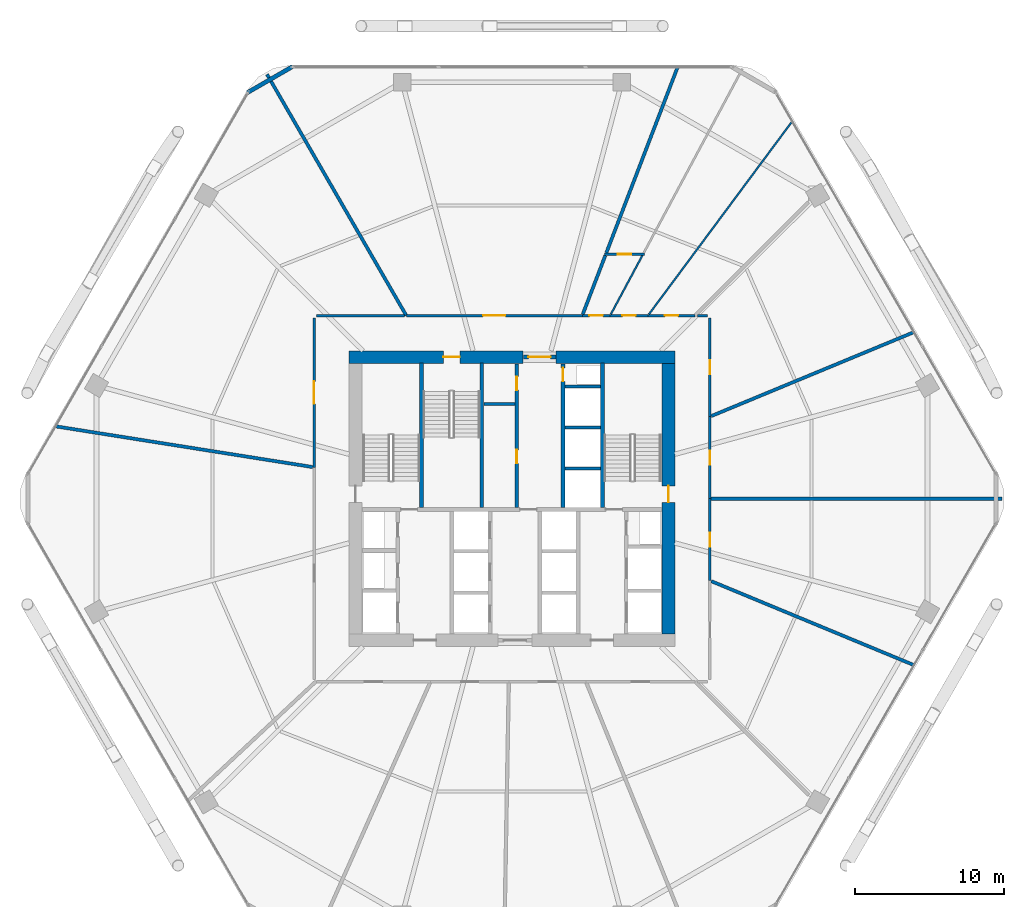
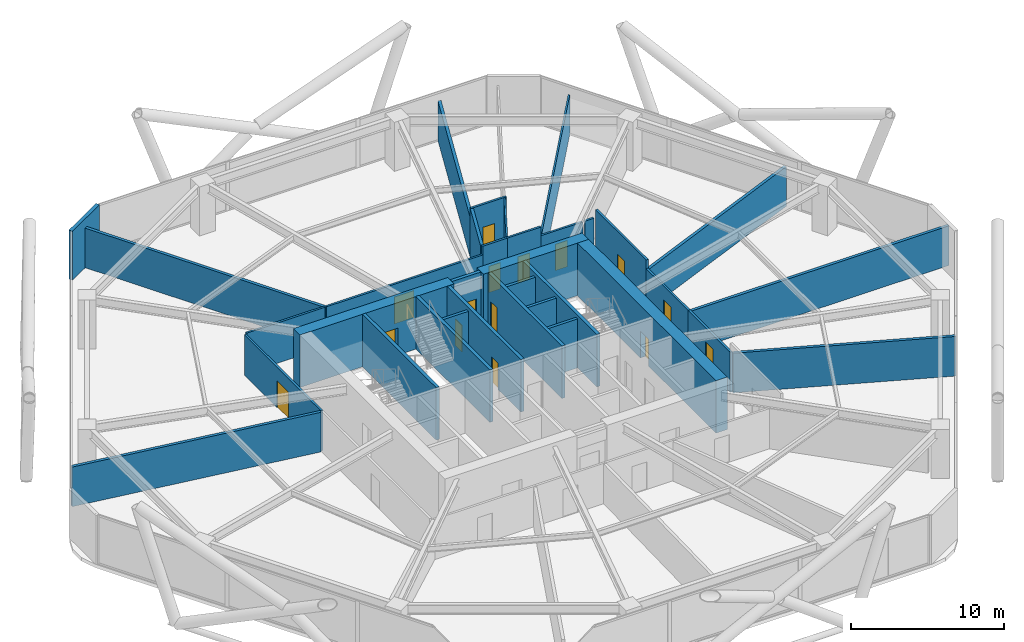
# One storey, part 26 of 28: 34 walls, 15 doors, 15 openings.
"""IFC4 building model written with IfcOpenShell, lengths in metres."""

from ifc_helpers import new_model, si_unit, direction, frame, frame_2d, origin, place, context, subcontext, project, spatial, rectangle, extrude, material, layer, layer_set, type_object, element, fill, save


model = new_model("IFC4")

# Units and contexts
model_context = context("Model", 3, precision=1e-05, world=origin(), true_north=direction((0.0, 1.0)))
body_context = subcontext(model_context, "Body", "Model", "MODEL_VIEW")
ifc_project = project(units=[si_unit("LENGTHUNIT", "METRE"), si_unit("AREAUNIT", "SQUARE_METRE"), si_unit("VOLUMEUNIT", "CUBIC_METRE"), si_unit("PLANEANGLEUNIT", "RADIAN"), si_unit("MASSUNIT", "GRAM", prefix="KILO")], contexts=[model_context])

# Site, building, storey
site_placement = place(None, origin())
site = spatial("IfcSite", under=ifc_project, at=site_placement, CompositionType="ELEMENT")
building_placement = place(site_placement, origin())
building = spatial("IfcBuilding", under=site, at=building_placement, Name="Zuhravey Tower", CompositionType="ELEMENT")
storey_placement = place(building_placement, frame((0.0, 0.0, 66.60009765625)))
storey = spatial("IfcBuildingStorey", under=building, at=storey_placement, Name="L16", CompositionType="ELEMENT", Elevation=66.60009765625)

# Wall
ifc_material_1 = material(Name="Concrete C60/75", Category="concrete")
ifc_layer_1 = layer(ifc_material_1, 0.85009765625)
ifc_layer_set_1 = layer_set([ifc_layer_1], Name="Concrete C60/75")
wall_type_1 = type_object("IfcWallType", Name="Core Shear Wall 850", PredefinedType="SHEAR", material=ifc_layer_set_1)
wall_1_placement = place(storey_placement, frame((46.925048828125, 41.5, 0.0), z_axis=(0.0, 0.0, 1.0), x_axis=(-1.0, 0.0, 0.0)))
element("IfcWall", 1, at=wall_1_placement, inside=storey, type_object=wall_type_1, Name="L16 North-East Core Shear Wall CW85", PredefinedType="SHEAR", context=body_context, shape_type="SweptSolid", body=[
    extrude(rectangle(XDim=7.97509765625, YDim=0.85009765625, at=frame_2d((3.987548828125, 0.0))), origin(), (0.0, 0.0, 1.0), 4.199951171875),
])

# Wall, opening, door
wall_2_placement = place(storey_placement, frame((36.75, 41.5, 0.0), z_axis=(0.0, 0.0, 1.0), x_axis=(-1.0, 0.0, 0.0)))
wall_2 = element("IfcWall", 2, at=wall_2_placement, inside=storey, type_object=wall_type_1, Name="L16 North-West Core Shear Wall CW85", PredefinedType="SHEAR", context=body_context, shape_type="SweptSolid", body=[
    extrude(rectangle(XDim=11.675048828125, YDim=0.85009765625, at=frame_2d((5.83740234375, 0.0))), origin(), (0.0, 0.0, 1.0), 4.199951171875),
])
opening_1_placement = place(wall_2_placement, frame((4.25, 0.0, 0.0)))
opening_1 = element("IfcOpeningElement", 3, at=opening_1_placement, cuts=wall_2, Name="Opening STD1", PredefinedType="OPENING", context=body_context, shape_type="SweptSolid", body=[
    extrude(rectangle(XDim=1.10009765625, YDim=2.14990234375, at=frame_2d((0.550048828125, 1.074951171875))), frame((0.0, 0.43701171875, 0.0), z_axis=(0.0, -1.0, 0.0), x_axis=(1.0, 0.0, 0.0)), (0.0, 0.0, 1.0), 0.8740234375),
])
ifc_material_2 = material(Name="Galvanised fire-rated steel leaf", Category="steel")
door_type_1 = type_object("IfcDoorType", Name="Protected Stair Fire Door 1100x2150", OperationType="NOTDEFINED", PredefinedType="USERDEFINED", material=ifc_material_2)
door_1_placement = place(opening_1_placement, origin())
door_1 = element("IfcDoor", 4, at=door_1_placement, inside=storey, type_object=door_type_1, Name="L16 Stair ST3 Door", ObjectType="EXITDOOR", OperationType="SINGLE_SWING_RIGHT", OverallHeight=2.14990234375, OverallWidth=1.10009765625, PredefinedType="USERDEFINED", context=body_context, shape_type="SweptSolid", body=[
    extrude(rectangle(XDim=1.10009765625, YDim=2.14990234375, at=frame_2d((0.550048828125, 1.074951171875))), frame((0.0, 0.02490234375, 0.0), z_axis=(0.0, -1.0, 0.0), x_axis=(1.0, 0.0, 0.0)), (0.0, 0.0, 1.0), 0.050048828125),
])
fill(opening_1, door_1)

wall_3_placement = place(storey_placement, frame((46.5, 22.925048828125, 0.0), z_axis=(0.0, 0.0, 1.0), x_axis=(0.0, 1.0, 0.0)))
wall_3 = element("IfcWall", 5, at=wall_3_placement, inside=storey, type_object=wall_type_1, Name="L16 East Core Shear Wall CW85", PredefinedType="SHEAR", context=body_context, shape_type="SweptSolid", body=[
    extrude(rectangle(XDim=18.14990234375, YDim=0.85009765625, at=frame_2d((9.074951171875, 0.0))), origin(), (0.0, 0.0, 1.0), 4.199951171875),
])
opening_2_placement = place(wall_3_placement, frame((8.824951171875, 0.0, 0.0)))
opening_2 = element("IfcOpeningElement", 6, at=opening_2_placement, cuts=wall_3, Name="Opening STD1", PredefinedType="OPENING", context=body_context, shape_type="SweptSolid", body=[
    extrude(rectangle(XDim=1.10009765625, YDim=2.14990234375, at=frame_2d((0.550048828125, 1.074951171875))), frame((0.0, 0.43701171875, 0.0), z_axis=(0.0, -1.0, 0.0), x_axis=(1.0, 0.0, 0.0)), (0.0, 0.0, 1.0), 0.8740234375),
])
door_2_placement = place(opening_2_placement, origin())
door_2 = element("IfcDoor", 7, at=door_2_placement, inside=storey, type_object=door_type_1, Name="L16 Stair ST2 Door", ObjectType="EXITDOOR", OperationType="SINGLE_SWING_LEFT", OverallHeight=2.14990234375, OverallWidth=1.10009765625, PredefinedType="USERDEFINED", context=body_context, shape_type="SweptSolid", body=[
    extrude(rectangle(XDim=1.10009765625, YDim=2.14990234375, at=frame_2d((0.550048828125, 1.074951171875))), frame((0.0, 0.02490234375, 0.0), z_axis=(0.0, -1.0, 0.0), x_axis=(1.0, 0.0, 0.0)), (0.0, 0.0, 1.0), 0.050048828125),
])
fill(opening_2, door_2)

ifc_material_3 = material(Name="Gypsum fire-rated stud partition")
ifc_layer_2 = layer(ifc_material_3, 0.159912109375)
ifc_layer_set_2 = layer_set([ifc_layer_2], Name="Gypsum fire-rated stud partition")
wall_type_2 = type_object("IfcWallType", Name="Corridor Fire Partition 160", PredefinedType="PARTITIONING", material=ifc_layer_set_2)
wall_4_placement = place(storey_placement, frame((48.284912109375, 44.284912109375, 0.0), z_axis=(0.0, 0.0, 1.0), x_axis=(-1.0, 0.0, 0.0)))
wall_4 = element("IfcWall", 8, at=wall_4_placement, inside=storey, type_object=wall_type_2, Name="L16 IW16 Partition 019", PredefinedType="PARTITIONING", context=body_context, shape_type="SweptSolid", body=[
    extrude(rectangle(XDim=3.161376953125, YDim=0.159912109375, at=frame_2d((1.58056640625, 0.0))), origin(), (0.0, 0.0, 1.0), 3.219970703125),
])
opening_3_placement = place(wall_4_placement, frame((1.130615234375, 0.0, 0.0)))
opening_3 = element("IfcOpeningElement", 9, at=opening_3_placement, cuts=wall_4, Name="Opening RSD1", PredefinedType="OPENING", context=body_context, shape_type="SweptSolid", body=[
    extrude(rectangle(XDim=0.89990234375, YDim=2.10009765625, at=frame_2d((0.449951171875, 1.050048828125))), frame((0.0, 0.092041015625, 0.0), z_axis=(0.0, -1.0, 0.0), x_axis=(1.0, 0.0, 0.0)), (0.0, 0.0, 1.0), 0.183837890625),
])
ifc_material_4 = material(Name="Galvanised fire-rated steel access leaf", Category="steel")
door_type_2 = type_object("IfcDoorType", Name="Riser & Shaft Access Fire Door 900x2100", OperationType="NOTDEFINED", PredefinedType="DOOR", material=ifc_material_4)
door_3_placement = place(opening_3_placement, frame((0.89990234375, 0.0, 0.0), z_axis=(0.0, 0.0, 1.0), x_axis=(-1.0, 0.0, 0.0)))
door_3 = element("IfcDoor", 10, at=door_3_placement, inside=storey, type_object=door_type_2, Name="L16 Door 019.1", OperationType="SINGLE_SWING_RIGHT", OverallHeight=2.10009765625, OverallWidth=0.89990234375, PredefinedType="DOOR", context=body_context, shape_type="SweptSolid", body=[
    extrude(rectangle(XDim=0.89990234375, YDim=2.10009765625, at=frame_2d((0.449951171875, 1.050048828125))), frame((0.0, 0.02490234375, 0.0), z_axis=(0.0, -1.0, 0.0), x_axis=(1.0, 0.0, 0.0)), (0.0, 0.0, 1.0), 0.050048828125),
])
fill(opening_3, door_3)

wall_5_placement = place(storey_placement, frame((45.12353515625, 44.284912109375, 0.0), z_axis=(0.0, 0.0, 1.0), x_axis=(-1.0, 0.0, 0.0)))
wall_5 = element("IfcWall", 11, at=wall_5_placement, inside=storey, type_object=wall_type_2, Name="L16 IW16 Partition 020", PredefinedType="PARTITIONING", context=body_context, shape_type="SweptSolid", body=[
    extrude(rectangle(XDim=2.536376953125, YDim=0.159912109375, at=frame_2d((1.26806640625, 0.0))), origin(), (0.0, 0.0, 1.0), 3.919921875),
])
opening_4_placement = place(wall_5_placement, frame((0.818115234375, 0.0, 0.0)))
opening_4 = element("IfcOpeningElement", 12, at=opening_4_placement, cuts=wall_5, Name="Opening RSD1", PredefinedType="OPENING", context=body_context, shape_type="SweptSolid", body=[
    extrude(rectangle(XDim=0.89990234375, YDim=2.10009765625, at=frame_2d((0.449951171875, 1.050048828125))), frame((0.0, 0.092041015625, 0.0), z_axis=(0.0, -1.0, 0.0), x_axis=(1.0, 0.0, 0.0)), (0.0, 0.0, 1.0), 0.183837890625),
])
door_4_placement = place(opening_4_placement, frame((0.89990234375, 0.0, 0.0), z_axis=(0.0, 0.0, 1.0), x_axis=(-1.0, 0.0, 0.0)))
door_4 = element("IfcDoor", 13, at=door_4_placement, inside=storey, type_object=door_type_2, Name="L16 Door 020.1", OperationType="SINGLE_SWING_LEFT", OverallHeight=2.10009765625, OverallWidth=0.89990234375, PredefinedType="DOOR", context=body_context, shape_type="SweptSolid", body=[
    extrude(rectangle(XDim=0.89990234375, YDim=2.10009765625, at=frame_2d((0.449951171875, 1.050048828125))), frame((0.0, 0.02490234375, 0.0), z_axis=(0.0, -1.0, 0.0), x_axis=(1.0, 0.0, 0.0)), (0.0, 0.0, 1.0), 0.050048828125),
])
fill(opening_4, door_4)

wall_6_placement = place(storey_placement, frame((42.211669921875, 48.405029296875, 0.0), z_axis=(0.0, 0.0, 1.0), x_axis=(1.0, 0.0, 0.0)))
wall_6 = element("IfcWall", 14, at=wall_6_placement, inside=storey, type_object=wall_type_2, Name="L16 IW16 Partition 021", PredefinedType="PARTITIONING", context=body_context, shape_type="SweptSolid", body=[
    extrude(rectangle(XDim=2.675537109375, YDim=0.159912109375, at=frame_2d((1.337890625, 0.0))), origin(), (0.0, 0.0, 1.0), 3.919921875),
])
opening_5_placement = place(wall_6_placement, frame((0.8876953125, 0.0, 0.0)))
opening_5 = element("IfcOpeningElement", 15, at=opening_5_placement, cuts=wall_6, Name="Opening RSD1", PredefinedType="OPENING", context=body_context, shape_type="SweptSolid", body=[
    extrude(rectangle(XDim=0.89990234375, YDim=2.10009765625, at=frame_2d((0.449951171875, 1.050048828125))), frame((0.0, 0.092041015625, 0.0), z_axis=(0.0, -1.0, 0.0), x_axis=(1.0, 0.0, 0.0)), (0.0, 0.0, 1.0), 0.183837890625),
])
door_5_placement = place(opening_5_placement, origin())
door_5 = element("IfcDoor", 16, at=door_5_placement, inside=storey, type_object=door_type_2, Name="L16 Door 021.1", OperationType="SINGLE_SWING_RIGHT", OverallHeight=2.10009765625, OverallWidth=0.89990234375, PredefinedType="DOOR", context=body_context, shape_type="SweptSolid", body=[
    extrude(rectangle(XDim=0.89990234375, YDim=2.10009765625, at=frame_2d((0.449951171875, 1.050048828125))), frame((0.0, 0.02490234375, 0.0), z_axis=(0.0, -1.0, 0.0), x_axis=(1.0, 0.0, 0.0)), (0.0, 0.0, 1.0), 0.050048828125),
])
fill(opening_5, door_5)

wall_7_placement = place(storey_placement, frame((42.587158203125, 44.284912109375, 0.0), z_axis=(0.0, 0.0, 1.0), x_axis=(-1.0, 0.0, 0.0)))
wall_7 = element("IfcWall", 17, at=wall_7_placement, inside=storey, type_object=wall_type_2, Name="L16 IW16 Partition 022", PredefinedType="PARTITIONING", context=body_context, shape_type="SweptSolid", body=[
    extrude(rectangle(XDim=1.871337890625, YDim=0.159912109375, at=frame_2d((0.935546875, 0.0))), origin(), (0.0, 0.0, 1.0), 3.919921875),
])
opening_6_placement = place(wall_7_placement, frame((0.485595703125, 0.0, 0.0)))
opening_6 = element("IfcOpeningElement", 18, at=opening_6_placement, cuts=wall_7, Name="Opening RSD1", PredefinedType="OPENING", context=body_context, shape_type="SweptSolid", body=[
    extrude(rectangle(XDim=0.89990234375, YDim=2.10009765625, at=frame_2d((0.449951171875, 1.050048828125))), frame((0.0, 0.092041015625, 0.0), z_axis=(0.0, -1.0, 0.0), x_axis=(1.0, 0.0, 0.0)), (0.0, 0.0, 1.0), 0.183837890625),
])
door_6_placement = place(opening_6_placement, frame((0.89990234375, 0.0, 0.0), z_axis=(0.0, 0.0, 1.0), x_axis=(-1.0, 0.0, 0.0)))
door_6 = element("IfcDoor", 19, at=door_6_placement, inside=storey, type_object=door_type_2, Name="L16 Door 022.1", OperationType="SINGLE_SWING_LEFT", OverallHeight=2.10009765625, OverallWidth=0.89990234375, PredefinedType="DOOR", context=body_context, shape_type="SweptSolid", body=[
    extrude(rectangle(XDim=0.89990234375, YDim=2.10009765625, at=frame_2d((0.449951171875, 1.050048828125))), frame((0.0, 0.02490234375, 0.0), z_axis=(0.0, -1.0, 0.0), x_axis=(1.0, 0.0, 0.0)), (0.0, 0.0, 1.0), 0.050048828125),
])
fill(opening_6, door_6)

wall_8_placement = place(storey_placement, frame((40.7158203125, 44.284912109375, 0.0), z_axis=(0.0, 0.0, 1.0), x_axis=(-1.0, 0.0, 0.0)))
wall_8 = element("IfcWall", 20, at=wall_8_placement, inside=storey, type_object=wall_type_2, Name="L16 IW16 Partition 023", PredefinedType="PARTITIONING", context=body_context, shape_type="SweptSolid", body=[
    extrude(rectangle(XDim=11.80859375, YDim=0.159912109375, at=frame_2d((5.904296875, 0.0))), origin(), (0.0, 0.0, 1.0), 3.219970703125),
])
opening_7_placement = place(wall_8_placement, frame((5.154296875, 0.0, 0.0)))
opening_7 = element("IfcOpeningElement", 21, at=opening_7_placement, cuts=wall_8, Name="Opening FFD1", PredefinedType="OPENING", context=body_context, shape_type="SweptSolid", body=[
    extrude(rectangle(XDim=1.5, YDim=2.14990234375, at=frame_2d((0.75, 1.074951171875))), frame((0.0, 0.092041015625, 0.0), z_axis=(0.0, -1.0, 0.0), x_axis=(1.0, 0.0, 0.0)), (0.0, 0.0, 1.0), 0.183837890625),
])
door_type_3 = type_object("IfcDoorType", Name="Firefighting Lobby Double Door 1500x2150", OperationType="DOUBLE_DOOR_SINGLE_SWING", PredefinedType="DOOR", material=ifc_material_2)
door_7_placement = place(opening_7_placement, frame((1.5, 0.0, 0.0), z_axis=(0.0, 0.0, 1.0), x_axis=(-1.0, 0.0, 0.0)))
door_7 = element("IfcDoor", 22, at=door_7_placement, inside=storey, type_object=door_type_3, Name="L16 Door 023.1", OperationType="DOUBLE_DOOR_SINGLE_SWING", OverallHeight=2.14990234375, OverallWidth=1.5, PredefinedType="DOOR", context=body_context, shape_type="SweptSolid", body=[
    extrude(rectangle(XDim=1.5, YDim=2.14990234375, at=frame_2d((0.75, 1.074951171875))), frame((0.0, 0.02490234375, 0.0), z_axis=(0.0, -1.0, 0.0), x_axis=(1.0, 0.0, 0.0)), (0.0, 0.0, 1.0), 0.050048828125),
])
fill(opening_7, door_7)

wall_9_placement = place(storey_placement, frame((22.715087890625, 44.125, 0.0), z_axis=(0.0, 0.0, 1.0), x_axis=(0.0, -1.0, 0.0)))
wall_9 = element("IfcWall", 23, at=wall_9_placement, inside=storey, type_object=wall_type_2, Name="L16 IW16 Partition 024", PredefinedType="PARTITIONING", context=body_context, shape_type="SweptSolid", body=[
    extrude(rectangle(XDim=10.02099609375, YDim=0.159912109375, at=frame_2d((5.010498046875, 0.0))), origin(), (0.0, 0.0, 1.0), 3.219970703125),
])
opening_8_placement = place(wall_9_placement, frame((4.260498046875, 0.0, 0.0)))
opening_8 = element("IfcOpeningElement", 24, at=opening_8_placement, cuts=wall_9, Name="Opening FFD1", PredefinedType="OPENING", context=body_context, shape_type="SweptSolid", body=[
    extrude(rectangle(XDim=1.5, YDim=2.14990234375, at=frame_2d((0.75, 1.074951171875))), frame((0.0, 0.092041015625, 0.0), z_axis=(0.0, -1.0, 0.0), x_axis=(1.0, 0.0, 0.0)), (0.0, 0.0, 1.0), 0.183837890625),
])
door_8_placement = place(opening_8_placement, frame((1.5, 0.0, 0.0), z_axis=(0.0, 0.0, 1.0), x_axis=(-1.0, 0.0, 0.0)))
door_8 = element("IfcDoor", 25, at=door_8_placement, inside=storey, type_object=door_type_3, Name="L16 Door 024.1", OperationType="DOUBLE_DOOR_SINGLE_SWING", OverallHeight=2.14990234375, OverallWidth=1.5, PredefinedType="DOOR", context=body_context, shape_type="SweptSolid", body=[
    extrude(rectangle(XDim=1.5, YDim=2.14990234375, at=frame_2d((0.75, 1.074951171875))), frame((0.0, 0.02490234375, 0.0), z_axis=(0.0, -1.0, 0.0), x_axis=(1.0, 0.0, 0.0)), (0.0, 0.0, 1.0), 0.050048828125),
])
fill(opening_8, door_8)

wall_10_placement = place(storey_placement, frame((49.284912109375, 26.497314453125, 0.0), z_axis=(0.0, 0.0, 1.0), x_axis=(0.0, 1.0, 0.0)))
wall_10 = element("IfcWall", 26, at=wall_10_placement, inside=storey, type_object=wall_type_2, Name="L16 IW16 Partition 031", PredefinedType="PARTITIONING", context=body_context, shape_type="SweptSolid", body=[
    extrude(rectangle(XDim=5.502685546875, YDim=0.159912109375, at=frame_2d((2.75146484375, 0.0))), origin(), (0.0, 0.0, 1.0), 3.219970703125),
])
opening_9_placement = place(wall_10_placement, frame((2.2763671875, 0.0, 0.0)))
opening_9 = element("IfcOpeningElement", 27, at=opening_9_placement, cuts=wall_10, Name="Opening IND1", PredefinedType="OPENING", context=body_context, shape_type="SweptSolid", body=[
    extrude(rectangle(XDim=0.949951171875, YDim=2.10009765625, at=frame_2d((0.47509765625, 1.050048828125))), frame((0.0, 0.092041015625, 0.0), z_axis=(0.0, -1.0, 0.0), x_axis=(1.0, 0.0, 0.0)), (0.0, 0.0, 1.0), 0.183837890625),
])
ifc_material_5 = material(Name="Painted engineered timber leaf", Category="wood")
door_type_4 = type_object("IfcDoorType", Name="Internal Room & Bedroom Door 950x2100", OperationType="NOTDEFINED", PredefinedType="DOOR", material=ifc_material_5)
door_9_placement = place(opening_9_placement, frame((0.949951171875, 0.0, 0.0), z_axis=(0.0, 0.0, 1.0), x_axis=(-1.0, 0.0, 0.0)))
door_9 = element("IfcDoor", 28, at=door_9_placement, inside=storey, type_object=door_type_4, Name="L16 Door 031.1", OperationType="SINGLE_SWING_RIGHT", OverallHeight=2.10009765625, OverallWidth=0.949951171875, PredefinedType="DOOR", context=body_context, shape_type="SweptSolid", body=[
    extrude(rectangle(XDim=0.949951171875, YDim=2.10009765625, at=frame_2d((0.47509765625, 1.050048828125))), frame((0.0, 0.02490234375, 0.0), z_axis=(0.0, -1.0, 0.0), x_axis=(1.0, 0.0, 0.0)), (0.0, 0.0, 1.0), 0.050048828125),
])
fill(opening_9, door_9)

wall_11_placement = place(storey_placement, frame((49.284912109375, 32.0, 0.0), z_axis=(0.0, 0.0, 1.0), x_axis=(0.0, 1.0, 0.0)))
wall_11 = element("IfcWall", 29, at=wall_11_placement, inside=storey, type_object=wall_type_2, Name="L16 IW16 Partition 032", PredefinedType="PARTITIONING", context=body_context, shape_type="SweptSolid", body=[
    extrude(rectangle(XDim=5.502685546875, YDim=0.159912109375, at=frame_2d((2.75146484375, 0.0))), origin(), (0.0, 0.0, 1.0), 3.219970703125),
])
opening_10_placement = place(wall_11_placement, frame((2.2763671875, 0.0, 0.0)))
opening_10 = element("IfcOpeningElement", 30, at=opening_10_placement, cuts=wall_11, Name="Opening IND1", PredefinedType="OPENING", context=body_context, shape_type="SweptSolid", body=[
    extrude(rectangle(XDim=0.949951171875, YDim=2.10009765625, at=frame_2d((0.47509765625, 1.050048828125))), frame((0.0, 0.092041015625, 0.0), z_axis=(0.0, -1.0, 0.0), x_axis=(1.0, 0.0, 0.0)), (0.0, 0.0, 1.0), 0.183837890625),
])
door_10_placement = place(opening_10_placement, frame((0.949951171875, 0.0, 0.0), z_axis=(0.0, 0.0, 1.0), x_axis=(-1.0, 0.0, 0.0)))
door_10 = element("IfcDoor", 31, at=door_10_placement, inside=storey, type_object=door_type_4, Name="L16 Door 032.1", OperationType="SINGLE_SWING_LEFT", OverallHeight=2.10009765625, OverallWidth=0.949951171875, PredefinedType="DOOR", context=body_context, shape_type="SweptSolid", body=[
    extrude(rectangle(XDim=0.949951171875, YDim=2.10009765625, at=frame_2d((0.47509765625, 1.050048828125))), frame((0.0, 0.02490234375, 0.0), z_axis=(0.0, -1.0, 0.0), x_axis=(1.0, 0.0, 0.0)), (0.0, 0.0, 1.0), 0.050048828125),
])
fill(opening_10, door_10)

wall_12_placement = place(storey_placement, frame((49.284912109375, 37.502685546875, 0.0), z_axis=(0.0, 0.0, 1.0), x_axis=(0.0, 1.0, 0.0)))
wall_12 = element("IfcWall", 32, at=wall_12_placement, inside=storey, type_object=wall_type_2, Name="L16 IW16 Partition 033", PredefinedType="PARTITIONING", context=body_context, shape_type="SweptSolid", body=[
    extrude(rectangle(XDim=6.622314453125, YDim=0.159912109375, at=frame_2d((3.31103515625, 0.0))), origin(), (0.0, 0.0, 1.0), 3.919921875),
])
opening_11_placement = place(wall_12_placement, frame((2.836181640625, 0.0, 0.0)))
opening_11 = element("IfcOpeningElement", 33, at=opening_11_placement, cuts=wall_12, Name="Opening IND1", PredefinedType="OPENING", context=body_context, shape_type="SweptSolid", body=[
    extrude(rectangle(XDim=0.949951171875, YDim=2.10009765625, at=frame_2d((0.47509765625, 1.050048828125))), frame((0.0, 0.092041015625, 0.0), z_axis=(0.0, -1.0, 0.0), x_axis=(1.0, 0.0, 0.0)), (0.0, 0.0, 1.0), 0.183837890625),
])
door_11_placement = place(opening_11_placement, frame((0.949951171875, 0.0, 0.0), z_axis=(0.0, 0.0, 1.0), x_axis=(-1.0, 0.0, 0.0)))
door_11 = element("IfcDoor", 34, at=door_11_placement, inside=storey, type_object=door_type_4, Name="L16 Door 033.1", OperationType="SINGLE_SWING_RIGHT", OverallHeight=2.10009765625, OverallWidth=0.949951171875, PredefinedType="DOOR", context=body_context, shape_type="SweptSolid", body=[
    extrude(rectangle(XDim=0.949951171875, YDim=2.10009765625, at=frame_2d((0.47509765625, 1.050048828125))), frame((0.0, 0.02490234375, 0.0), z_axis=(0.0, -1.0, 0.0), x_axis=(1.0, 0.0, 0.0)), (0.0, 0.0, 1.0), 0.050048828125),
])
fill(opening_11, door_11)

# Walls
wall_13_placement = place(storey_placement, frame((28.77099609375, 44.284912109375, 0.0), z_axis=(0.0, 0.0, 1.0), x_axis=(-1.0, 0.0, 0.0)))
element("IfcWall", 35, at=wall_13_placement, inside=storey, type_object=wall_type_2, Name="L16 IW16 Partition 049", PredefinedType="PARTITIONING", context=body_context, shape_type="SweptSolid", body=[
    extrude(rectangle(XDim=5.89599609375, YDim=0.159912109375, at=frame_2d((2.947998046875, 0.0))), origin(), (0.0, 0.0, 1.0), 3.219970703125),
])
wall_14_placement = place(storey_placement, frame((49.125, 44.284912109375, 0.0), z_axis=(0.0, 0.0, 1.0), x_axis=(-1.0, 0.0, 0.0)))
element("IfcWall", 36, at=wall_14_placement, inside=storey, type_object=wall_type_2, Name="L16 IW16 Partition 060", PredefinedType="PARTITIONING", context=body_context, shape_type="SweptSolid", body=[
    extrude(rectangle(XDim=0.673095703125, YDim=0.159912109375, at=frame_2d((0.33642578125, 0.0))), origin(), (0.0, 0.0, 1.0), 3.219970703125),
])
ifc_material_6 = material(Name="Precast concrete C40/50", Category="concrete")
ifc_layer_3 = layer(ifc_material_6, 0.280029296875)
ifc_layer_set_3 = layer_set([ifc_layer_3], Name="Precast concrete C40/50")
wall_type_3 = type_object("IfcWallType", Name="Crown Architectural Wall 280", PredefinedType="SOLIDWALL", material=ifc_layer_set_3)
wall_15_placement = place(storey_placement, frame((18.23876953125, 59.24853515625, 0.0), z_axis=(0.0, 0.0, 1.0), x_axis=(0.866007452331, 0.500031091541, 0.0)))
element("IfcWall", 37, at=wall_15_placement, inside=storey, type_object=wall_type_3, Name="L16 Rounded Corner Closure Wall EW28-08", PredefinedType="SOLIDWALL", context=body_context, shape_type="SweptSolid", body=[
    extrude(rectangle(XDim=3.514892578125, YDim=0.280029296875, at=frame_2d((1.75732421875, 0.0))), origin(), (0.0, 0.0, 1.0), 3.919921875),
])

# Wall, opening, door
ifc_material_7 = material(Name="Concrete C50/60", Category="concrete")
ifc_layer_4 = layer(ifc_material_7, 0.25)
ifc_layer_set_4 = layer_set([ifc_layer_4], Name="Concrete C50/60")
wall_type_4 = type_object("IfcWallType", Name="Firefighting Shaft & Stair Wall 250", PredefinedType="SOLIDWALL", material=ifc_layer_set_4)
wall_16_placement = place(storey_placement, frame((36.760009765625, 41.5, 0.0), z_axis=(0.0, 0.0, 1.0), x_axis=(1.0, 0.0, 0.0)))
wall_16 = element("IfcWall", 38, at=wall_16_placement, inside=storey, type_object=wall_type_4, Name="L16 FW25 Shaft Wall 002", PredefinedType="SOLIDWALL", context=body_context, shape_type="SweptSolid", body=[
    extrude(rectangle(XDim=2.179931640625, YDim=0.25, at=frame_2d((1.08984375, 0.0))), origin(), (0.0, 0.0, 1.0), 4.199951171875),
])
opening_12_placement = place(wall_16_placement, frame((0.340087890625, 0.0, 0.0)))
opening_12 = element("IfcOpeningElement", 39, at=opening_12_placement, cuts=wall_16, Name="Opening FFD1", PredefinedType="OPENING", context=body_context, shape_type="SweptSolid", body=[
    extrude(rectangle(XDim=1.5, YDim=2.14990234375, at=frame_2d((0.75, 1.074951171875))), frame((0.0, 0.136962890625, 0.0), z_axis=(0.0, -1.0, 0.0), x_axis=(1.0, 0.0, 0.0)), (0.0, 0.0, 1.0), 0.27392578125),
])
door_12_placement = place(opening_12_placement, origin())
door_12 = element("IfcDoor", 40, at=door_12_placement, inside=storey, type_object=door_type_3, Name="L16 North Lift Lobby Exit Door", OperationType="DOUBLE_DOOR_SINGLE_SWING", OverallHeight=2.14990234375, OverallWidth=1.5, PredefinedType="DOOR", context=body_context, shape_type="SweptSolid", body=[
    extrude(rectangle(XDim=1.5, YDim=2.14990234375, at=frame_2d((0.75, 1.074951171875))), frame((0.0, 0.02490234375, 0.0), z_axis=(0.0, -1.0, 0.0), x_axis=(1.0, 0.0, 0.0)), (0.0, 0.0, 1.0), 0.050048828125),
])
fill(opening_12, door_12)

# Walls
for number, where, z_axis, x_axis, name in (
    (41, (29.925048828125, 31.39990234375, 0.0), (0.0, 0.0, 1.0), (0.0, 1.0, 0.0), "L16 FW25 Shaft Wall 004"),
    (42, (33.97509765625, 31.39990234375, 0.0), (0.0, 0.0, 1.0), (0.0, 1.0, 0.0), "L16 FW25 Shaft Wall 005"),
    (43, (42.074951171875, 31.39990234375, 0.0), (0.0, 0.0, 1.0), (0.0, 1.0, 0.0), "L16 FW25 Shaft Wall 006"),
):
    element("IfcWall", number, at=place(storey_placement, frame(where, z_axis=z_axis, x_axis=x_axis)), inside=storey, type_object=wall_type_4, Name=name, PredefinedType="SOLIDWALL", context=body_context, shape_type="SweptSolid", body=[
        extrude(rectangle(XDim=9.7001953125, YDim=0.25, at=frame_2d((4.85009765625, 0.0))), origin(), (0.0, 0.0, 1.0), 4.199951171875),
    ])

# Wall, openings, doors
wall_17_placement = place(storey_placement, frame((36.324951171875, 31.39990234375, 0.0), z_axis=(0.0, 0.0, 1.0), x_axis=(0.0, 1.0, 0.0)))
wall_17 = element("IfcWall", 44, at=wall_17_placement, inside=storey, type_object=wall_type_4, Name="L16 FW25 Shaft Wall 007", PredefinedType="SOLIDWALL", context=body_context, shape_type="SweptSolid", body=[
    extrude(rectangle(XDim=9.650146484375, YDim=0.25, at=frame_2d((4.8251953125, 0.0))), origin(), (0.0, 0.0, 1.0), 4.199951171875),
])
opening_13_placement = place(wall_17_placement, frame((2.965087890625, 0.0, 0.0)))
opening_13 = element("IfcOpeningElement", 45, at=opening_13_placement, cuts=wall_17, Name="Opening RSD1", PredefinedType="OPENING", context=body_context, shape_type="SweptSolid", body=[
    extrude(rectangle(XDim=0.89990234375, YDim=2.10009765625, at=frame_2d((0.449951171875, 1.050048828125))), frame((0.0, 0.136962890625, 0.0), z_axis=(0.0, -1.0, 0.0), x_axis=(1.0, 0.0, 0.0)), (0.0, 0.0, 1.0), 0.27392578125),
])
opening_14_placement = place(wall_17_placement, frame((7.885009765625, 0.0, 0.0)))
opening_14 = element("IfcOpeningElement", 46, at=opening_14_placement, cuts=wall_17, Name="Opening RSD1", PredefinedType="OPENING", context=body_context, shape_type="SweptSolid", body=[
    extrude(rectangle(XDim=0.89990234375, YDim=2.10009765625, at=frame_2d((0.449951171875, 1.050048828125))), frame((0.0, 0.136962890625, 0.0), z_axis=(0.0, -1.0, 0.0), x_axis=(1.0, 0.0, 0.0)), (0.0, 0.0, 1.0), 0.27392578125),
])
door_13_placement = place(opening_13_placement, origin())
door_13 = element("IfcDoor", 47, at=door_13_placement, inside=storey, type_object=door_type_2, Name="L16 Equipment and Refuse Store Door", OperationType="SINGLE_SWING_RIGHT", OverallHeight=2.10009765625, OverallWidth=0.89990234375, PredefinedType="DOOR", context=body_context, shape_type="SweptSolid", body=[
    extrude(rectangle(XDim=0.89990234375, YDim=2.10009765625, at=frame_2d((0.449951171875, 1.050048828125))), frame((0.0, 0.02490234375, 0.0), z_axis=(0.0, -1.0, 0.0), x_axis=(1.0, 0.0, 0.0)), (0.0, 0.0, 1.0), 0.050048828125),
])
fill(opening_13, door_13)
door_14_placement = place(opening_14_placement, origin())
door_14 = element("IfcDoor", 48, at=door_14_placement, inside=storey, type_object=door_type_2, Name="L16 BMS Control Room Door", OperationType="SINGLE_SWING_LEFT", OverallHeight=2.10009765625, OverallWidth=0.89990234375, PredefinedType="DOOR", context=body_context, shape_type="SweptSolid", body=[
    extrude(rectangle(XDim=0.89990234375, YDim=2.10009765625, at=frame_2d((0.449951171875, 1.050048828125))), frame((0.0, 0.02490234375, 0.0), z_axis=(0.0, -1.0, 0.0), x_axis=(1.0, 0.0, 0.0)), (0.0, 0.0, 1.0), 0.050048828125),
])
fill(opening_14, door_14)

# Wall, opening, door
wall_18_placement = place(storey_placement, frame((39.425048828125, 31.39990234375, 0.0), z_axis=(0.0, 0.0, 1.0), x_axis=(0.0, 1.0, 0.0)))
wall_18 = element("IfcWall", 49, at=wall_18_placement, inside=storey, type_object=wall_type_4, Name="L16 FW25 Shaft Wall 008", PredefinedType="SOLIDWALL", context=body_context, shape_type="SweptSolid", body=[
    extrude(rectangle(XDim=9.650146484375, YDim=0.25, at=frame_2d((4.8251953125, 0.0))), origin(), (0.0, 0.0, 1.0), 4.199951171875),
])
opening_15_placement = place(wall_18_placement, frame((8.469970703125, 0.0, 0.0)))
opening_15 = element("IfcOpeningElement", 50, at=opening_15_placement, cuts=wall_18, Name="Opening RSD1", PredefinedType="OPENING", context=body_context, shape_type="SweptSolid", body=[
    extrude(rectangle(XDim=0.89990234375, YDim=2.10009765625, at=frame_2d((0.449951171875, 1.050048828125))), frame((0.0, 0.136962890625, 0.0), z_axis=(0.0, -1.0, 0.0), x_axis=(1.0, 0.0, 0.0)), (0.0, 0.0, 1.0), 0.27392578125),
])
door_15_placement = place(opening_15_placement, origin())
door_15 = element("IfcDoor", 51, at=door_15_placement, inside=storey, type_object=door_type_2, Name="L16 North Riser Door", OperationType="SINGLE_SWING_RIGHT", OverallHeight=2.10009765625, OverallWidth=0.89990234375, PredefinedType="DOOR", context=body_context, shape_type="SweptSolid", body=[
    extrude(rectangle(XDim=0.89990234375, YDim=2.10009765625, at=frame_2d((0.449951171875, 1.050048828125))), frame((0.0, 0.02490234375, 0.0), z_axis=(0.0, -1.0, 0.0), x_axis=(1.0, 0.0, 0.0)), (0.0, 0.0, 1.0), 0.050048828125),
])
fill(opening_15, door_15)

# Walls
ifc_material_8 = material(Name="Gypsum acoustic stud assembly")
ifc_layer_5 = layer(ifc_material_8, 0.219970703125)
ifc_layer_set_5 = layer_set([ifc_layer_5], Name="Gypsum acoustic stud assembly")
wall_type_5 = type_object("IfcWallType", Name="School Acoustic Compartment Wall 220", PredefinedType="PARTITIONING", material=ifc_layer_set_5)
wall_19_placement = place(storey_placement, frame((34.10791015625, 38.35009765625, 0.0), z_axis=(0.0, 0.0, 1.0), x_axis=(1.0, 0.0, 0.0)))
element("IfcWall", 52, at=wall_19_placement, inside=storey, type_object=wall_type_5, Name="L16 IW22 Partition 034", PredefinedType="PARTITIONING", context=body_context, shape_type="SweptSolid", body=[
    extrude(rectangle(XDim=2.083984375, YDim=0.219970703125, at=frame_2d((1.0419921875, 0.0))), origin(), (0.0, 0.0, 1.0), 3.919921875),
])
for number, where, z_axis, x_axis, name in (
    (53, (39.55810546875, 34.02490234375, 0.0), (0.0, 0.0, 1.0), (1.0, 0.0, 0.0), "L16 IW22 Partition 035"),
    (54, (39.55810546875, 36.77490234375, 0.0), (0.0, 0.0, 1.0), (1.0, 0.0, 0.0), "L16 IW22 Partition 036"),
    (55, (39.55810546875, 39.52490234375, 0.0), (0.0, 0.0, 1.0), (1.0, 0.0, 0.0), "L16 IW22 Partition 037"),
):
    element("IfcWall", number, at=place(storey_placement, frame(where, z_axis=z_axis, x_axis=x_axis)), inside=storey, type_object=wall_type_5, Name=name, PredefinedType="PARTITIONING", context=body_context, shape_type="SweptSolid", body=[
        extrude(rectangle(XDim=2.3837890625, YDim=0.219970703125, at=frame_2d((1.19189453125, 0.0))), origin(), (0.0, 0.0, 1.0), 3.919921875),
    ])
wall_20_placement = place(storey_placement, frame((40.74951171875, 44.373046875, 0.0), z_axis=(0.0, 0.0, 1.0), x_axis=(0.358370990804, 0.933579259062, 0.0)))
element("IfcWall", 56, at=wall_20_placement, inside=storey, type_object=wall_type_5, Name="L16 IW22 Partition 046", PredefinedType="PARTITIONING", context=body_context, shape_type="SweptSolid", body=[
    extrude(rectangle(XDim=4.224365234375, YDim=0.219970703125, at=frame_2d((2.1123046875, 0.0))), origin(), (0.0, 0.0, 1.0), 3.919921875),
])
wall_21_placement = place(storey_placement, frame((42.3310546875, 48.492919921875, 0.0), z_axis=(0.0, 0.0, 1.0), x_axis=(0.358372511013, 0.933578675501, 0.0)))
element("IfcWall", 57, at=wall_21_placement, inside=storey, type_object=wall_type_5, Name="L16 IW22 Partition 047", PredefinedType="PARTITIONING", context=body_context, shape_type="SweptSolid", body=[
    extrude(rectangle(XDim=13.3525390625, YDim=0.219970703125, at=frame_2d((6.67626953125, 0.0))), origin(), (0.0, 0.0, 1.0), 3.169921875),
])
wall_22_placement = place(storey_placement, frame((28.9072265625, 44.284912109375, 0.0), z_axis=(0.0, 0.0, 1.0), x_axis=(-0.499994105362, 0.866028807028, 0.0)))
element("IfcWall", 58, at=wall_22_placement, inside=storey, type_object=wall_type_5, Name="L16 IW22 Partition 048", PredefinedType="PARTITIONING", context=body_context, shape_type="SweptSolid", body=[
    extrude(rectangle(XDim=18.697021484375, YDim=0.219970703125, at=frame_2d((9.3486328125, 0.0))), origin(), (0.0, 0.0, 1.0), 3.169921875),
])
wall_23_placement = place(storey_placement, frame((22.626953125, 34.1181640625, 0.0), z_axis=(0.0, 0.0, 1.0), x_axis=(-0.987689809262, 0.156425191961, 0.0)))
element("IfcWall", 59, at=wall_23_placement, inside=storey, type_object=wall_type_5, Name="L16 IW22 Partition 050", PredefinedType="PARTITIONING", context=body_context, shape_type="SweptSolid", body=[
    extrude(rectangle(XDim=17.478759765625, YDim=0.219970703125, at=frame_2d((8.7392578125, 0.0))), origin(), (0.0, 0.0, 1.0), 3.169921875),
])
wall_24_placement = place(storey_placement, frame((49.373046875, 26.460693359375, 0.0), z_axis=(0.0, 0.0, 1.0), x_axis=(0.923882327997, -0.382676683396, 0.0)))
element("IfcWall", 60, at=wall_24_placement, inside=storey, type_object=wall_type_5, Name="L16 IW22 Partition 056", PredefinedType="PARTITIONING", context=body_context, shape_type="SweptSolid", body=[
    extrude(rectangle(XDim=14.733642578125, YDim=0.219970703125, at=frame_2d((7.36669921875, 0.0))), origin(), (0.0, 0.0, 1.0), 3.169921875),
])
wall_25_placement = place(storey_placement, frame((49.373046875, 32.0, 0.0), z_axis=(0.0, 0.0, 1.0), x_axis=(1.0, 0.0, 0.0)))
element("IfcWall", 61, at=wall_25_placement, inside=storey, type_object=wall_type_5, Name="L16 IW22 Partition 058", PredefinedType="PARTITIONING", context=body_context, shape_type="SweptSolid", body=[
    extrude(rectangle(XDim=19.50927734375, YDim=0.219970703125, at=frame_2d((9.754638671875, 0.0))), origin(), (0.0, 0.0, 1.0), 3.169921875),
])
wall_26_placement = place(storey_placement, frame((49.373046875, 37.539306640625, 0.0), z_axis=(0.0, 0.0, 1.0), x_axis=(0.923882327997, 0.382676683396, 0.0)))
element("IfcWall", 62, at=wall_26_placement, inside=storey, type_object=wall_type_5, Name="L16 IW22 Partition 059", PredefinedType="PARTITIONING", context=body_context, shape_type="SweptSolid", body=[
    extrude(rectangle(XDim=14.733642578125, YDim=0.219970703125, at=frame_2d((7.36669921875, 0.0))), origin(), (0.0, 0.0, 1.0), 3.169921875),
])
ifc_material_9 = material(Name="Gypsum metal-stud partition")
ifc_layer_6 = layer(ifc_material_9, 0.1201171875)
ifc_layer_set_6 = layer_set([ifc_layer_6], Name="Gypsum metal-stud partition")
wall_type_6 = type_object("IfcWallType", Name="Unit Internal Partition 120", PredefinedType="PARTITIONING", material=ifc_layer_set_6)
wall_27_placement = place(storey_placement, frame((45.18896484375, 44.373046875, 0.0), z_axis=(0.0, 0.0, 1.0), x_axis=(0.596225418148, 0.802817071788, 0.0)))
element("IfcWall", 63, at=wall_27_placement, inside=storey, type_object=wall_type_6, Name="L16 IW12 Partition 043", PredefinedType="PARTITIONING", context=body_context, shape_type="SweptSolid", body=[
    extrude(rectangle(XDim=16.1416015625, YDim=0.1201171875, at=frame_2d((8.07080078125, 0.0))), origin(), (0.0, 0.0, 1.0), 3.169921875),
])
wall_28_placement = place(storey_placement, frame((42.63427734375, 44.373046875, 0.0), z_axis=(0.0, 0.0, 1.0), x_axis=(0.472563527557, 0.881296608653, 0.0)))
element("IfcWall", 64, at=wall_28_placement, inside=storey, type_object=wall_type_6, Name="L16 IW12 Partition 044", PredefinedType="PARTITIONING", context=body_context, shape_type="SweptSolid", body=[
    extrude(rectangle(XDim=4.47509765625, YDim=0.1201171875, at=frame_2d((2.237548828125, 0.0))), origin(), (0.0, 0.0, 1.0), 3.919921875),
])

save(model, "model.ifc")
